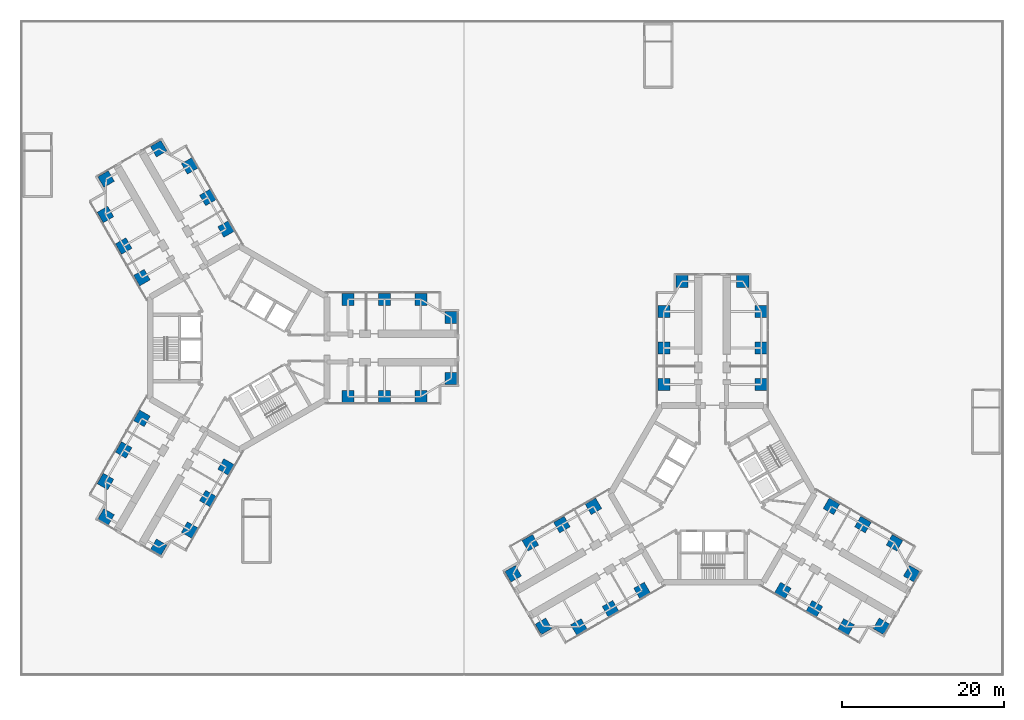
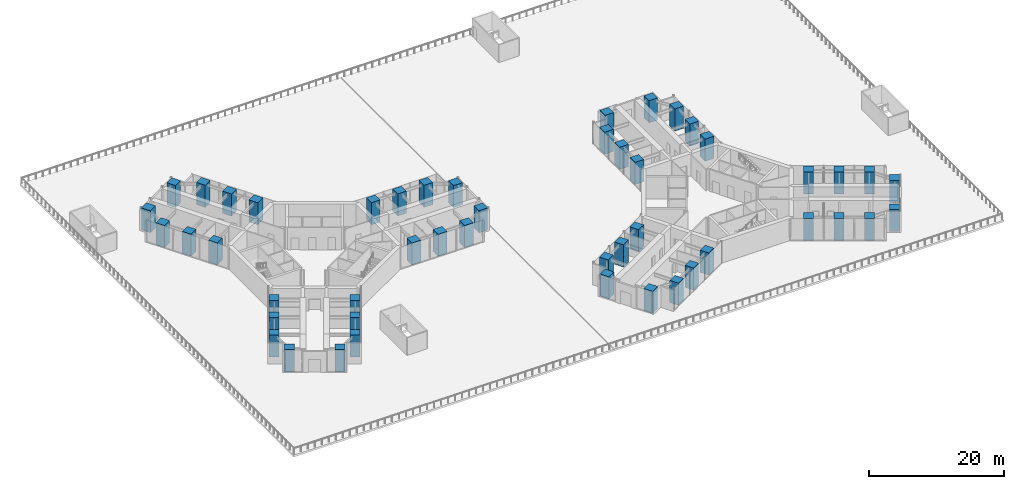
# One storey, part 1 of 23: 48 columns.
"""IFC4 building model written with IfcOpenShell, lengths in metres."""

from ifc_helpers import new_model, si_unit, direction, frame, origin, origin_2d, place, context, subcontext, project, spatial, rectangle, extrude, material, material_profile, profile_set, type_object, element, save


model = new_model("IFC4")

# Units and contexts
model_context = context("Model", 3, precision=1e-05, world=origin(), true_north=direction((0.0, 1.0)))
body_context = subcontext(model_context, "Body", "Model", "MODEL_VIEW")
ifc_project = project(units=[si_unit("LENGTHUNIT", "METRE"), si_unit("AREAUNIT", "SQUARE_METRE"), si_unit("VOLUMEUNIT", "CUBIC_METRE"), si_unit("PLANEANGLEUNIT", "RADIAN"), si_unit("MASSUNIT", "GRAM", prefix="KILO")], contexts=[model_context])

# Site, building, storey
site_placement = place(None, origin())
site = spatial("IfcSite", under=ifc_project, at=site_placement, CompositionType="ELEMENT")
building_placement = place(site_placement, origin())
building = spatial("IfcBuilding", under=site, at=building_placement, Name="Upepo Twin Towers", CompositionType="ELEMENT")
storey_placement = place(building_placement, frame((0.0, 0.0, 20.5)))
storey = spatial("IfcBuildingStorey", under=building, at=storey_placement, Name="L04", CompositionType="ELEMENT", Elevation=20.5)

# Columns
ifc_material = material(Name="Concrete C60/75", Category="concrete")
ifc_material_profile = material_profile(ifc_material, rectangle(XDim=1.5, YDim=1.5, at=origin_2d()), Name="RC 1500x1500")
ifc_profile_set = profile_set([ifc_material_profile], Name="Concrete C60/75")
column_type = type_object("IfcColumnType", Name="Tower column RC 1500x1500", PredefinedType="COLUMN", material=ifc_profile_set)
for number, where, z_axis, x_axis, name in (
    (1, (13.5, 6.0, 0.0), (0.0, 0.0, 1.0), (1.0, 0.0, 0.0), "T1 column AL135"),
    (2, (13.5, -6.0, 0.0), (0.0, 0.0, 1.0), (1.0, 0.0, 0.0), "T1 column AR135"),
    (3, (18.0, 6.0, 0.0), (0.0, 0.0, 1.0), (1.0, 0.0, 0.0), "T1 column AL180"),
    (4, (18.0, -6.0, 0.0), (0.0, 0.0, 1.0), (1.0, 0.0, 0.0), "T1 column AR180"),
    (5, (22.5, 6.0, 0.0), (0.0, 0.0, 1.0), (1.0, 0.0, 0.0), "T1 column AL225"),
    (6, (22.5, -6.0, 0.0), (0.0, 0.0, 1.0), (1.0, 0.0, 0.0), "T1 column AR225"),
    (7, (26.25, 3.75, 0.0), (0.0, 0.0, 1.0), (1.0, 0.0, 0.0), "T1 column ALN"),
    (8, (26.25, -3.75, 0.0), (0.0, 0.0, 1.0), (1.0, 0.0, 0.0), "T1 column ARN"),
    (9, (-11.946044921875, 8.69140625, 0.0), (0.0, 0.0, 1.0), (0.866025403784, 0.5, 0.0), "T1 column BL135"),
    (10, (-1.553955078125, 14.69140625, 0.0), (0.0, 0.0, 1.0), (0.866025403784, 0.5, 0.0), "T1 column BR135"),
    (11, (-14.196044921875, 12.58837890625, 0.0), (0.0, 0.0, 1.0), (0.866025403784, 0.5, 0.0), "T1 column BL180"),
    (12, (-3.803955078125, 18.58837890625, 0.0), (0.0, 0.0, 1.0), (0.866025403784, 0.5, 0.0), "T1 column BR180"),
    (13, (-16.446044921875, 16.485595703125, 0.0), (0.0, 0.0, 1.0), (0.866025403784, 0.5, 0.0), "T1 column BL225"),
    (14, (-6.053955078125, 22.485595703125, 0.0), (0.0, 0.0, 1.0), (0.866025403784, 0.5, 0.0), "T1 column BR225"),
    (15, (-16.37255859375, 20.858154296875, 0.0), (0.0, 0.0, 1.0), (0.866025403784, 0.5, 0.0), "T1 column BLN"),
    (16, (-9.87744140625, 24.608154296875, 0.0), (0.0, 0.0, 1.0), (0.866025403784, 0.5, 0.0), "T1 column BRN"),
    (17, (-1.553955078125, -14.69140625, 0.0), (0.0, 0.0, 1.0), (0.5, 0.866025403784, 0.0), "T1 column CL135"),
    (18, (-11.946044921875, -8.69140625, 0.0), (0.0, 0.0, 1.0), (0.5, 0.866025403784, 0.0), "T1 column CR135"),
    (19, (-3.803955078125, -18.58837890625, 0.0), (0.0, 0.0, 1.0), (0.5, 0.866025403784, 0.0), "T1 column CL180"),
    (20, (-14.196044921875, -12.58837890625, 0.0), (0.0, 0.0, 1.0), (0.5, 0.866025403784, 0.0), "T1 column CR180"),
    (21, (-6.053955078125, -22.485595703125, 0.0), (0.0, 0.0, 1.0), (0.5, 0.866025403784, 0.0), "T1 column CL225"),
    (22, (-16.446044921875, -16.485595703125, 0.0), (0.0, 0.0, 1.0), (0.5, 0.866025403784, 0.0), "T1 column CR225"),
    (23, (-9.87744140625, -24.608154296875, 0.0), (0.0, 0.0, 1.0), (0.5, 0.866025403784, 0.0), "T1 column CLN"),
    (24, (-16.37255859375, -20.858154296875, 0.0), (0.0, 0.0, 1.0), (0.5, 0.866025403784, 0.0), "T1 column CRN"),
    (25, (52.5, -4.5, 0.0), (0.0, 0.0, 1.0), (1.0, 0.0, 0.0), "T2 column AL135"),
    (26, (64.5, -4.5, 0.0), (0.0, 0.0, 1.0), (1.0, 0.0, 0.0), "T2 column AR135"),
    (27, (52.5, 0.0, 0.0), (0.0, 0.0, 1.0), (1.0, 0.0, 0.0), "T2 column AL180"),
    (28, (64.5, 0.0, 0.0), (0.0, 0.0, 1.0), (1.0, 0.0, 0.0), "T2 column AR180"),
    (29, (52.5, 4.5, 0.0), (0.0, 0.0, 1.0), (1.0, 0.0, 0.0), "T2 column AL225"),
    (30, (64.5, 4.5, 0.0), (0.0, 0.0, 1.0), (1.0, 0.0, 0.0), "T2 column AR225"),
    (31, (54.75, 8.25, 0.0), (0.0, 0.0, 1.0), (1.0, 0.0, 0.0), "T2 column ALN"),
    (32, (62.25, 8.25, 0.0), (0.0, 0.0, 1.0), (1.0, 0.0, 0.0), "T2 column ARN"),
    (33, (49.80859375, -29.946044921875, 0.0), (0.0, 0.0, 1.0), (0.866025403784, 0.5, 0.0), "T2 column BL135"),
    (34, (43.80859375, -19.553955078125, 0.0), (0.0, 0.0, 1.0), (0.866025403784, 0.5, 0.0), "T2 column BR135"),
    (35, (45.91162109375, -32.196044921875, 0.0), (0.0, 0.0, 1.0), (0.866025403784, 0.5, 0.0), "T2 column BL180"),
    (36, (39.91162109375, -21.803955078125, 0.0), (0.0, 0.0, 1.0), (0.866025403784, 0.5, 0.0), "T2 column BR180"),
    (37, (42.014404296875, -34.446044921875, 0.0), (0.0, 0.0, 1.0), (0.866025403784, 0.5, 0.0), "T2 column BL225"),
    (38, (36.014404296875, -24.053955078125, 0.0), (0.0, 0.0, 1.0), (0.866025403784, 0.5, 0.0), "T2 column BR225"),
    (39, (37.641845703125, -34.37255859375, 0.0), (0.0, 0.0, 1.0), (0.866025403784, 0.5, 0.0), "T2 column BLN"),
    (40, (33.891845703125, -27.87744140625, 0.0), (0.0, 0.0, 1.0), (0.866025403784, 0.5, 0.0), "T2 column BRN"),
    (41, (73.19140625, -19.553955078125, 0.0), (0.0, 0.0, 1.0), (0.5, 0.866025403784, 0.0), "T2 column CL135"),
    (42, (67.19140625, -29.946044921875, 0.0), (0.0, 0.0, 1.0), (0.5, 0.866025403784, 0.0), "T2 column CR135"),
    (43, (77.08837890625, -21.803955078125, 0.0), (0.0, 0.0, 1.0), (0.5, 0.866025403784, 0.0), "T2 column CL180"),
    (44, (71.08837890625, -32.196044921875, 0.0), (0.0, 0.0, 1.0), (0.5, 0.866025403784, 0.0), "T2 column CR180"),
    (45, (80.985595703125, -24.053955078125, 0.0), (0.0, 0.0, 1.0), (0.5, 0.866025403784, 0.0), "T2 column CL225"),
    (46, (74.985595703125, -34.446044921875, 0.0), (0.0, 0.0, 1.0), (0.5, 0.866025403784, 0.0), "T2 column CR225"),
    (47, (83.108154296875, -27.87744140625, 0.0), (0.0, 0.0, 1.0), (0.5, 0.866025403784, 0.0), "T2 column CLN"),
    (48, (79.358154296875, -34.37255859375, 0.0), (0.0, 0.0, 1.0), (0.5, 0.866025403784, 0.0), "T2 column CRN"),
):
    element("IfcColumn", number, at=place(storey_placement, frame(where, z_axis=z_axis, x_axis=x_axis)), inside=storey, type_object=column_type, Name=name, PredefinedType="COLUMN", context=body_context, shape_type="SweptSolid", body=[
        extrude(rectangle(XDim=1.5, YDim=1.5, at=origin_2d()), origin(), (0.0, 0.0, 1.0), 4.0),
    ])

save(model, "model.ifc")
